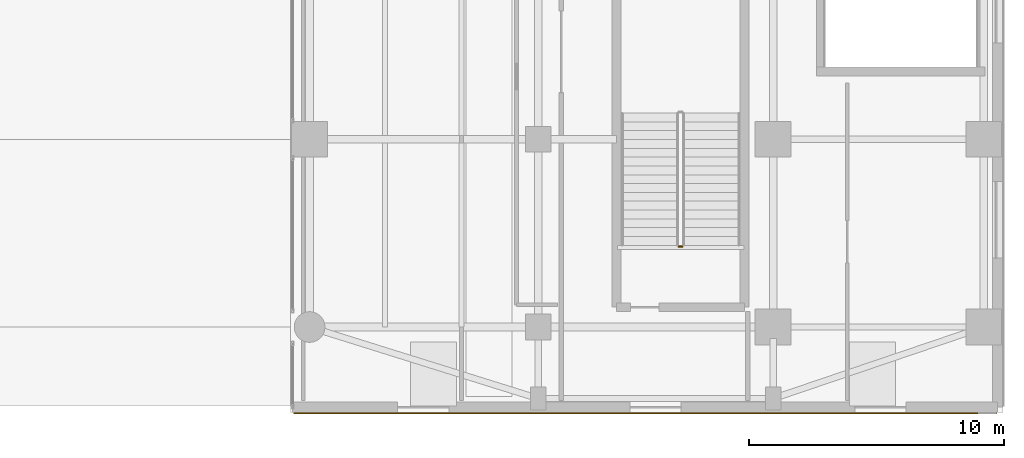
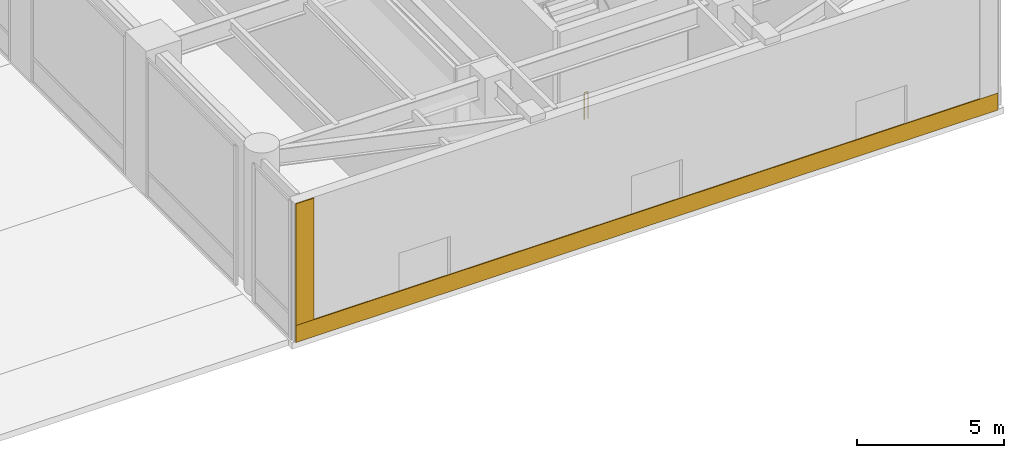
# One storey, part 20 of 28: 2 coverings, 1 railing.
"""IFC4 building model written with IfcOpenShell, lengths in metres."""

from ifc_helpers import new_model, si_unit, direction, frame, origin, origin_2d, place, context, subcontext, project, spatial, polyline, circle, outline, extrude, material, layer, layer_set, type_object, element, save


model = new_model("IFC4")

# Units and contexts
model_context = context("Model", 3, precision=1e-05, world=origin(), true_north=direction((0.0, 1.0)))
body_context = subcontext(model_context, "Body", "Model", "MODEL_VIEW")
ifc_project = project(units=[si_unit("LENGTHUNIT", "METRE"), si_unit("AREAUNIT", "SQUARE_METRE"), si_unit("VOLUMEUNIT", "CUBIC_METRE"), si_unit("PLANEANGLEUNIT", "RADIAN"), si_unit("MASSUNIT", "GRAM", prefix="KILO")], contexts=[model_context])

# Site, building, storey
site_placement = place(None, origin())
site = spatial("IfcSite", under=ifc_project, at=site_placement, CompositionType="ELEMENT")
building_placement = place(site_placement, origin())
building = spatial("IfcBuilding", under=site, at=building_placement, Name="Tolvann Quenvar Hotel", CompositionType="ELEMENT")
storey_placement = place(building_placement, origin())
storey = spatial("IfcBuildingStorey", under=building, at=storey_placement, Name="L00", CompositionType="ELEMENT", Elevation=0.0)

# Coverings
ifc_material_1 = material(Name="Kiln-fired red architectural face brick cladding", Category="masonry")
ifc_layer_1 = layer(ifc_material_1, 0.0400390625)
ifc_layer_set_1 = layer_set([ifc_layer_1], Name="Kiln-fired red architectural face brick cladding")
covering_type_1 = type_object("IfcCoveringType", Name="COV_CLAD_BRICK_40", PredefinedType="CLADDING", material=ifc_layer_set_1)
covering_1_placement = place(storey_placement, frame((0.0, 0.0, 0.699951171875)))
element("IfcCovering", 1, at=covering_1_placement, inside=storey, type_object=covering_type_1, Name="Brick Pier Cladding (L00-E04-P1)", PredefinedType="CLADDING", context=body_context, shape_type="SweptSolid", body=[
    extrude(outline(polyline([(37.639892578125, -2.5), (38.340087890625, -2.5), (38.340087890625, -2.5400390625), (37.639892578125, -2.5400390625), (37.639892578125, -2.5)])), origin(), (0.0, 0.0, 1.0), 5.0400390625),
])
ifc_material_2 = material(Name="Moulded buff architectural terracotta spandrel cladding", Category="masonry")
ifc_layer_2 = layer(ifc_material_2, 0.0400390625)
ifc_layer_set_2 = layer_set([ifc_layer_2], Name="Moulded buff architectural terracotta spandrel cladding")
covering_type_2 = type_object("IfcCoveringType", Name="COV_CLAD_TERRA_40", PredefinedType="CLADDING", material=ifc_layer_set_2)
covering_2_placement = place(storey_placement, origin())
element("IfcCovering", 2, at=covering_2_placement, inside=storey, type_object=covering_type_2, Name="Terracotta Spandrel Cladding (L00-E04)", PredefinedType="CLADDING", context=body_context, shape_type="SweptSolid", body=[
    extrude(outline(polyline([(37.6298828125, -2.5), (65.14990234375, -2.5), (65.14990234375, -2.5400390625), (37.6298828125, -2.5400390625), (37.6298828125, -2.5)])), origin(), (0.0, 0.0, 1.0), 0.699951171875),
])

# Railing
ifc_material_3 = material(Name="Brushed 316 stainless steel balustrade and handrail", Category="steel")
railing_type = type_object("IfcRailingType", Name="GUARDRAIL", PredefinedType="GUARDRAIL", material=ifc_material_3)
railing_placement = place(storey_placement, frame((52.85009765625, 4.0, 0.0)))
element("IfcRailing", 3, at=railing_placement, inside=storey, type_object=railing_type, Name="L00 ST-P3 stair guard 4", PredefinedType="GUARDRAIL", context=body_context, shape_type="SweptSolid", body=[
    extrude(circle(Radius=0.02392578125, at=origin_2d()), frame((0.0, 0.0, 1.09619140625), z_axis=(-1.0, 0.0, 0.0), x_axis=(0.0, -1.0, 0.0)), (0.0, 0.0, 1.0), 0.150146484375),
    extrude(circle(Radius=0.02099609375, at=origin_2d()), origin(), (0.0, 0.0, 1.0), 1.072021484375),
    extrude(circle(Radius=0.02099609375, at=origin_2d()), frame((-0.150146484375, 0.0, 0.0)), (0.0, 0.0, 1.0), 1.072021484375),
])

save(model, "model.ifc")
